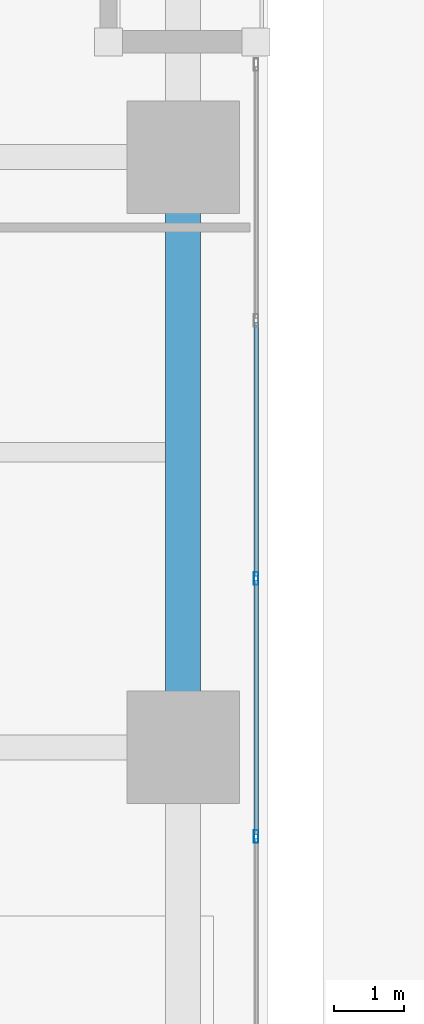
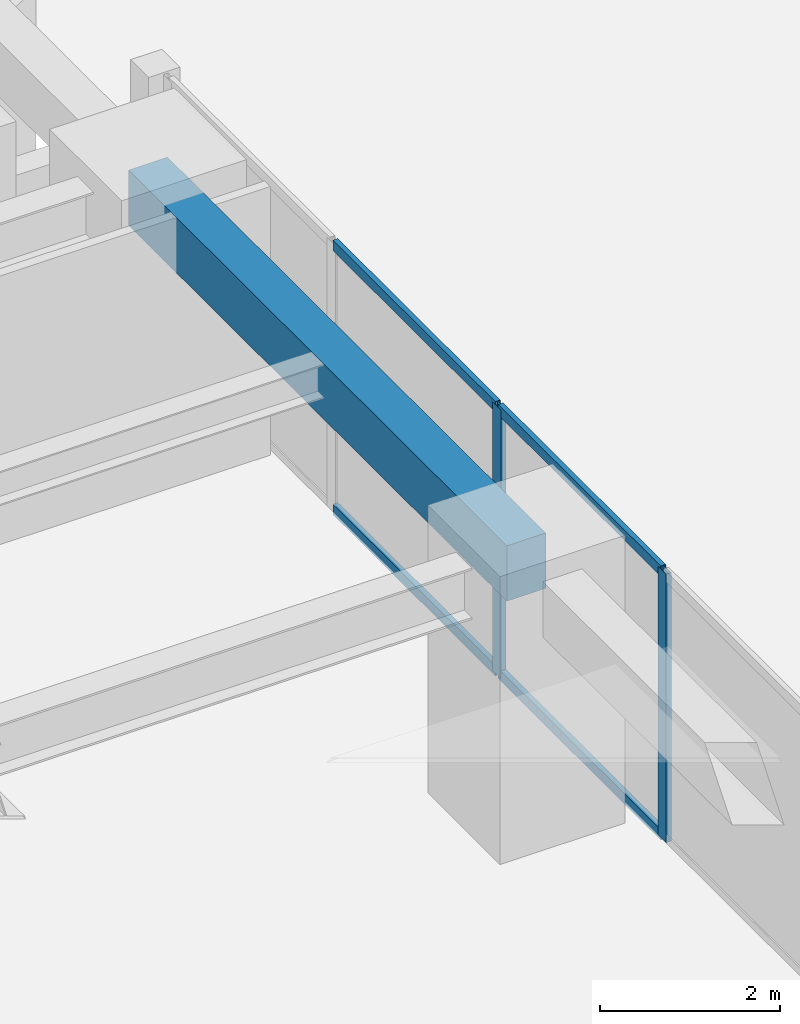
# One storey, part 18 of 38: 6 members, 1 beam, 1 element without a shape of its own.
"""IFC4 building model written with IfcOpenShell, lengths in metres."""

from ifc_helpers import new_model, si_unit, direction, frame, origin, origin_2d, place, context, subcontext, project, spatial, rectangle, hollow_rectangle, extrude, material, layer, layer_set, material_profile, profile_set, type_object, element, aggregate, save


model = new_model("IFC4")

# Units and contexts
model_context = context("Model", 3, precision=1e-05, world=origin(), true_north=direction((0.0, 1.0)))
body_context = subcontext(model_context, "Body", "Model", "MODEL_VIEW")
ifc_project = project(units=[si_unit("LENGTHUNIT", "METRE"), si_unit("AREAUNIT", "SQUARE_METRE"), si_unit("VOLUMEUNIT", "CUBIC_METRE"), si_unit("PLANEANGLEUNIT", "RADIAN"), si_unit("MASSUNIT", "GRAM", prefix="KILO")], contexts=[model_context])

# Site, building, storey
site_placement = place(None, origin())
site = spatial("IfcSite", under=ifc_project, at=site_placement, CompositionType="ELEMENT")
building_placement = place(site_placement, origin())
building = spatial("IfcBuilding", under=site, at=building_placement, Name="Kiyonajd Concourse Tower", CompositionType="ELEMENT")
storey_placement = place(building_placement, frame((0.0, 0.0, 21.60009765625)))
storey = spatial("IfcBuildingStorey", under=building, at=storey_placement, Name="L06", CompositionType="ELEMENT", Elevation=21.60009765625)

# Beam
ifc_material_1 = material(Name="Precast concrete C50/60", Category="concrete")
ifc_material_profile_1 = material_profile(ifc_material_1, rectangle(XDim=0.5, YDim=0.75, at=origin_2d()), Name="RCBM-500x750")
ifc_profile_set_1 = profile_set([ifc_material_profile_1], Name="Precast concrete C50/60")
beam_type = type_object("IfcBeamType", Name="BM-SPAN-RC", PredefinedType="SPANDREL", material=ifc_profile_set_1)
beam_placement = place(storey_placement, frame((78.0, 27.60009765625, 3.264892578125), z_axis=(0.0, 1.0, 0.0), x_axis=(-1.0, 0.0, 0.0)))
element("IfcBeam", 1, at=beam_placement, inside=storey, type_object=beam_type, Name="L06 Perimeter Bundled Tube Spandrel", PredefinedType="SPANDREL", context=body_context, shape_type="SweptSolid", body=[
    extrude(rectangle(XDim=0.5, YDim=0.75, at=origin_2d()), origin(), (0.0, 0.0, 1.0), 8.39990234375),
])

# Curtain wall, members
ifc_material_2 = material(Name="Thermally Broken Anodised Aluminium", Category="aluminium")
ifc_layer = layer(ifc_material_2, 0.179931640625)
ifc_layer_set = layer_set([ifc_layer], Name="Thermally Broken Anodised Aluminium")
curtain_wall_type = type_object("IfcCurtainWallType", Name="CW-SYS-02", PredefinedType="NOTDEFINED", material=ifc_layer_set)
curtain_wall_placement = place(storey_placement, origin())
curtain_wall = element("IfcCurtainWall", 2, at=curtain_wall_placement, inside=storey, type_object=curtain_wall_type, Name="L06 Unitised Curtain Wall CW2", PredefinedType="NOTDEFINED")
ifc_material_profile_2 = material_profile(ifc_material_2, hollow_rectangle(XDim=0.06494140625, YDim=0.179931640625, WallThickness=0.00390625, at=origin_2d()), Name="MULL-65x180")
ifc_profile_set_2 = profile_set([ifc_material_profile_2], Name="Thermally Broken Anodised Aluminium")
member_type_1 = type_object("IfcMemberType", Name="MB-CW-MULL1", PredefinedType="MULLION", material=ifc_profile_set_2)
member_1_placement = place(storey_placement, frame((79.0400390625, 30.003662109375, 0.0), z_axis=(0.0, 0.0, 1.0), x_axis=(1.0, 0.0, 0.0)))
member_1 = element("IfcMember", 3, at=member_1_placement, type_object=member_type_1, Name="CW2 mullion 3", PredefinedType="MULLION", context=body_context, shape_type="SweptSolid", body=[
    extrude(hollow_rectangle(XDim=0.06494140625, YDim=0.179931640625, WallThickness=0.00390625, at=origin_2d()), origin(), (0.0, 0.0, 1.0), 3.639892578125),
])
member_2_placement = place(storey_placement, frame((79.0400390625, 26.33056640625, 0.0), z_axis=(0.0, 0.0, 1.0), x_axis=(1.0, 0.0, 0.0)))
member_2 = element("IfcMember", 4, at=member_2_placement, type_object=member_type_1, Name="CW2 mullion 4", PredefinedType="MULLION", context=body_context, shape_type="SweptSolid", body=[
    extrude(hollow_rectangle(XDim=0.06494140625, YDim=0.179931640625, WallThickness=0.00390625, at=origin_2d()), origin(), (0.0, 0.0, 1.0), 3.639892578125),
])
ifc_material_profile_3 = material_profile(ifc_material_2, hollow_rectangle(XDim=0.06494140625, YDim=0.139892578125, WallThickness=0.00390625, at=origin_2d()), Name="TRAN-65x140")
ifc_profile_set_3 = profile_set([ifc_material_profile_3], Name="Thermally Broken Anodised Aluminium")
member_type_2 = type_object("IfcMemberType", Name="MB-CW-TRAN1", PredefinedType="USERDEFINED", material=ifc_profile_set_3)
member_3_placement = place(storey_placement, frame((79.0400390625, 33.644287109375, 0.032470703125), z_axis=(0.0, -1.0, 0.0), x_axis=(1.0, 0.0, 0.0)))
member_3 = element("IfcMember", 5, at=member_3_placement, type_object=member_type_2, Name="CW2 transom 2.1", ObjectType="TRANSOM", PredefinedType="USERDEFINED", context=body_context, shape_type="SweptSolid", body=[
    extrude(hollow_rectangle(XDim=0.06494140625, YDim=0.139892578125, WallThickness=0.00390625, at=origin_2d()), origin(), (0.0, 0.0, 1.0), 3.608154296875),
])
member_4_placement = place(storey_placement, frame((79.0400390625, 33.644287109375, 3.607421875), z_axis=(0.0, -1.0, 0.0), x_axis=(1.0, 0.0, 0.0)))
member_4 = element("IfcMember", 6, at=member_4_placement, type_object=member_type_2, Name="CW2 transom 2.2", ObjectType="TRANSOM", PredefinedType="USERDEFINED", context=body_context, shape_type="SweptSolid", body=[
    extrude(hollow_rectangle(XDim=0.06494140625, YDim=0.139892578125, WallThickness=0.00390625, at=origin_2d()), origin(), (0.0, 0.0, 1.0), 3.608154296875),
])
member_5_placement = place(storey_placement, frame((79.0400390625, 29.97119140625, 0.032470703125), z_axis=(0.0, -1.0, 0.0), x_axis=(1.0, 0.0, 0.0)))
member_5 = element("IfcMember", 7, at=member_5_placement, type_object=member_type_2, Name="CW2 transom 3.1", ObjectType="TRANSOM", PredefinedType="USERDEFINED", context=body_context, shape_type="SweptSolid", body=[
    extrude(hollow_rectangle(XDim=0.06494140625, YDim=0.139892578125, WallThickness=0.00390625, at=origin_2d()), origin(), (0.0, 0.0, 1.0), 3.608154296875),
])
member_6_placement = place(storey_placement, frame((79.0400390625, 29.97119140625, 3.607421875), z_axis=(0.0, -1.0, 0.0), x_axis=(1.0, 0.0, 0.0)))
member_6 = element("IfcMember", 8, at=member_6_placement, type_object=member_type_2, Name="CW2 transom 3.2", ObjectType="TRANSOM", PredefinedType="USERDEFINED", context=body_context, shape_type="SweptSolid", body=[
    extrude(hollow_rectangle(XDim=0.06494140625, YDim=0.139892578125, WallThickness=0.00390625, at=origin_2d()), origin(), (0.0, 0.0, 1.0), 3.608154296875),
])
aggregate(curtain_wall, [member_1, member_2, member_3, member_4, member_5, member_6])

save(model, "model.ifc")
